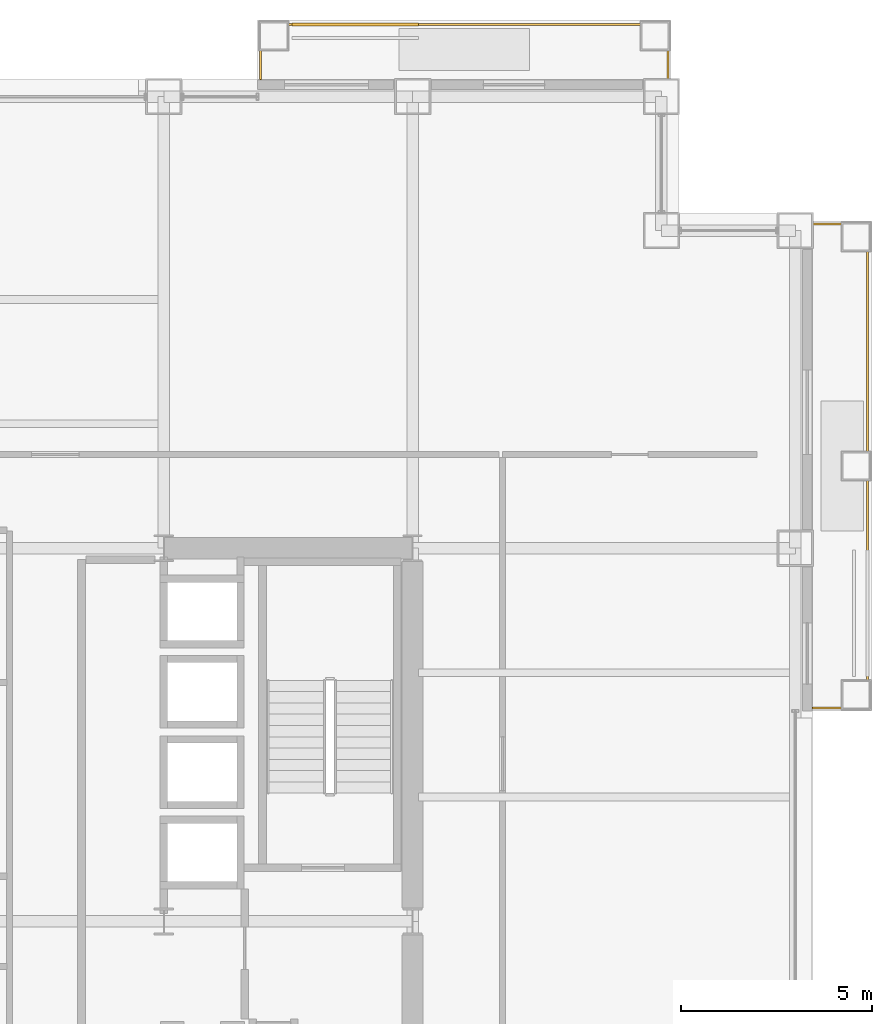
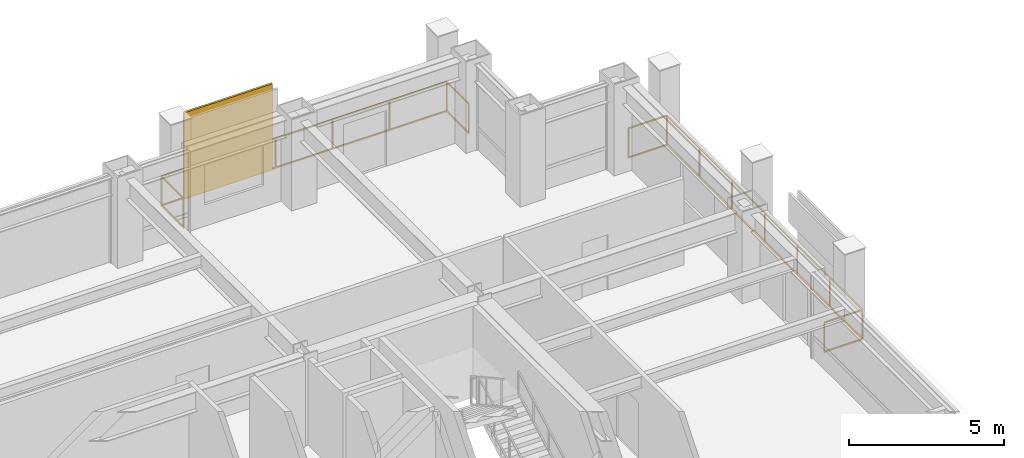
# One storey, part 30 of 31: 2 railings, 1 shading device.
"""IFC4 building model written with IfcOpenShell, lengths in metres."""

from ifc_helpers import new_model, si_unit, direction, frame, origin, origin_2d, place, context, subcontext, project, spatial, rectangle, extrude, material, layer, layer_set, type_object, element, save


model = new_model("IFC4")

# Units and contexts
model_context = context("Model", 3, precision=1e-05, world=origin(), true_north=direction((0.0, 1.0)))
body_context = subcontext(model_context, "Body", "Model", "MODEL_VIEW")
ifc_project = project(units=[si_unit("LENGTHUNIT", "METRE"), si_unit("AREAUNIT", "SQUARE_METRE"), si_unit("VOLUMEUNIT", "CUBIC_METRE"), si_unit("PLANEANGLEUNIT", "RADIAN"), si_unit("MASSUNIT", "GRAM", prefix="KILO")], contexts=[model_context])

# Site, building, storey
site_placement = place(None, origin())
site = spatial("IfcSite", under=ifc_project, at=site_placement, CompositionType="ELEMENT")
building_placement = place(site_placement, origin())
building = spatial("IfcBuilding", under=site, at=building_placement, Name="Brelmoor Portico Tower", CompositionType="ELEMENT")
storey_placement = place(building_placement, frame((0.0, 0.0, 31.199951171875)))
storey = spatial("IfcBuildingStorey", under=building, at=storey_placement, Name="L07", CompositionType="ELEMENT", Elevation=31.199951171875)

# Railings
ifc_material_1 = material(Name="Perforated Pale Champagne Aluminium Fretwork Guard", Category="aluminium")
railing_type = type_object("IfcRailingType", Name="RL-BALUSTRADE-1200", PredefinedType="BALUSTRADE", material=ifc_material_1)
railing_1_placement = place(storey_placement, frame((10.580078125, 22.0, 0.0)))
element("IfcRailing", 1, at=railing_1_placement, inside=storey, type_object=railing_type, Name="L07 Tree Balcony Fretwork Balustrade N", PredefinedType="BALUSTRADE", context=body_context, shape_type="SweptSolid", body=[
    extrude(rectangle(XDim=0.048095703125, YDim=0.048095703125, at=origin_2d()), frame((0.0, 0.0, 1.17578125), z_axis=(0.0, 1.0, 0.0), x_axis=(-1.0, 0.0, 0.0)), (0.0, 0.0, 1.0), 1.429931640625),
    extrude(rectangle(XDim=0.048095703125, YDim=0.048095703125, at=origin_2d()), frame((0.0, 0.0, 0.02392578125), z_axis=(0.0, 1.0, 0.0), x_axis=(-1.0, 0.0, 0.0)), (0.0, 0.0, 1.0), 1.429931640625),
    extrude(rectangle(XDim=0.048095703125, YDim=0.048095703125, at=origin_2d()), frame((0.0, 1.429931640625, 1.17578125), z_axis=(1.0, 0.0, 0.0), x_axis=(0.0, 1.0, 0.0)), (0.0, 0.0, 1.0), 10.639892578125),
    extrude(rectangle(XDim=0.048095703125, YDim=0.048095703125, at=origin_2d()), frame((0.0, 1.429931640625, 0.02392578125), z_axis=(1.0, 0.0, 0.0), x_axis=(0.0, 1.0, 0.0)), (0.0, 0.0, 1.0), 10.639892578125),
    extrude(rectangle(XDim=0.048095703125, YDim=0.048095703125, at=origin_2d()), frame((10.639892578125, 1.429931640625, 1.17578125), z_axis=(0.0, -1.0, 0.0), x_axis=(1.0, 0.0, 0.0)), (0.0, 0.0, 1.0), 1.429931640625),
    extrude(rectangle(XDim=0.048095703125, YDim=0.048095703125, at=origin_2d()), frame((10.639892578125, 1.429931640625, 0.02392578125), z_axis=(0.0, -1.0, 0.0), x_axis=(1.0, 0.0, 0.0)), (0.0, 0.0, 1.0), 1.429931640625),
    extrude(rectangle(XDim=0.0419921875, YDim=0.0419921875, at=origin_2d()), origin(), (0.0, 0.0, 1.0), 1.15185546875),
    extrude(rectangle(XDim=0.0419921875, YDim=0.0419921875, at=origin_2d()), frame((0.0, 1.429931640625, 0.0)), (0.0, 0.0, 1.0), 1.15185546875),
    extrude(rectangle(XDim=0.0419921875, YDim=0.0419921875, at=origin_2d()), frame((2.1279296875, 1.429931640625, 0.0)), (0.0, 0.0, 1.0), 1.15185546875),
    extrude(rectangle(XDim=0.0419921875, YDim=0.0419921875, at=origin_2d()), frame((4.255859375, 1.429931640625, 0.0)), (0.0, 0.0, 1.0), 1.15185546875),
    extrude(rectangle(XDim=0.0419921875, YDim=0.0419921875, at=origin_2d()), frame((6.384033203125, 1.429931640625, 0.0)), (0.0, 0.0, 1.0), 1.15185546875),
    extrude(rectangle(XDim=0.0419921875, YDim=0.0419921875, at=origin_2d()), frame((8.511962890625, 1.429931640625, 0.0)), (0.0, 0.0, 1.0), 1.15185546875),
    extrude(rectangle(XDim=0.0419921875, YDim=0.0419921875, at=origin_2d()), frame((10.639892578125, 1.429931640625, 0.0)), (0.0, 0.0, 1.0), 1.15185546875),
    extrude(rectangle(XDim=0.0419921875, YDim=0.0419921875, at=origin_2d()), frame((10.639892578125, 0.0, 0.0)), (0.0, 0.0, 1.0), 1.15185546875),
])
railing_2_placement = place(storey_placement, frame((25.0, 5.580078125, 0.0)))
element("IfcRailing", 2, at=railing_2_placement, inside=storey, type_object=railing_type, Name="L07 Tree Balcony Fretwork Balustrade E", PredefinedType="BALUSTRADE", context=body_context, shape_type="SweptSolid", body=[
    extrude(rectangle(XDim=0.048095703125, YDim=0.048095703125, at=origin_2d()), frame((0.0, 0.0, 1.17578125), z_axis=(1.0, 0.0, 0.0), x_axis=(0.0, 1.0, 0.0)), (0.0, 0.0, 1.0), 1.429931640625),
    extrude(rectangle(XDim=0.048095703125, YDim=0.048095703125, at=origin_2d()), frame((0.0, 0.0, 0.02392578125), z_axis=(1.0, 0.0, 0.0), x_axis=(0.0, 1.0, 0.0)), (0.0, 0.0, 1.0), 1.429931640625),
    extrude(rectangle(XDim=0.048095703125, YDim=0.048095703125, at=origin_2d()), frame((1.429931640625, 0.0, 1.17578125), z_axis=(0.0, 1.0, 0.0), x_axis=(-1.0, 0.0, 0.0)), (0.0, 0.0, 1.0), 12.639892578125),
    extrude(rectangle(XDim=0.048095703125, YDim=0.048095703125, at=origin_2d()), frame((1.429931640625, 0.0, 0.02392578125), z_axis=(0.0, 1.0, 0.0), x_axis=(-1.0, 0.0, 0.0)), (0.0, 0.0, 1.0), 12.639892578125),
    extrude(rectangle(XDim=0.048095703125, YDim=0.048095703125, at=origin_2d()), frame((1.429931640625, 12.639892578125, 1.17578125), z_axis=(-1.0, 0.0, 0.0), x_axis=(0.0, -1.0, 0.0)), (0.0, 0.0, 1.0), 1.429931640625),
    extrude(rectangle(XDim=0.048095703125, YDim=0.048095703125, at=origin_2d()), frame((1.429931640625, 12.639892578125, 0.02392578125), z_axis=(-1.0, 0.0, 0.0), x_axis=(0.0, -1.0, 0.0)), (0.0, 0.0, 1.0), 1.429931640625),
    extrude(rectangle(XDim=0.0419921875, YDim=0.0419921875, at=origin_2d()), origin(), (0.0, 0.0, 1.0), 1.15185546875),
    extrude(rectangle(XDim=0.0419921875, YDim=0.0419921875, at=origin_2d()), frame((1.429931640625, 0.0, 0.0)), (0.0, 0.0, 1.0), 1.15185546875),
    extrude(rectangle(XDim=0.0419921875, YDim=0.0419921875, at=origin_2d()), frame((1.429931640625, 2.106689453125, 0.0)), (0.0, 0.0, 1.0), 1.15185546875),
    extrude(rectangle(XDim=0.0419921875, YDim=0.0419921875, at=origin_2d()), frame((1.429931640625, 4.21337890625, 0.0)), (0.0, 0.0, 1.0), 1.15185546875),
    extrude(rectangle(XDim=0.0419921875, YDim=0.0419921875, at=origin_2d()), frame((1.429931640625, 6.31982421875, 0.0)), (0.0, 0.0, 1.0), 1.15185546875),
    extrude(rectangle(XDim=0.0419921875, YDim=0.0419921875, at=origin_2d()), frame((1.429931640625, 8.426513671875, 0.0)), (0.0, 0.0, 1.0), 1.15185546875),
    extrude(rectangle(XDim=0.0419921875, YDim=0.0419921875, at=origin_2d()), frame((1.429931640625, 10.533203125, 0.0)), (0.0, 0.0, 1.0), 1.15185546875),
    extrude(rectangle(XDim=0.0419921875, YDim=0.0419921875, at=origin_2d()), frame((1.429931640625, 12.639892578125, 0.0)), (0.0, 0.0, 1.0), 1.15185546875),
    extrude(rectangle(XDim=0.0419921875, YDim=0.0419921875, at=origin_2d()), frame((0.0, 12.639892578125, 0.0)), (0.0, 0.0, 1.0), 1.15185546875),
])

# Shading device
ifc_material_2 = material(Name="Powder-Coated Aluminium Shuttered Jalousie", Category="aluminium")
ifc_layer = layer(ifc_material_2, 0.080078125)
ifc_layer_set = layer_set([ifc_layer], Name="Powder-Coated Aluminium Shuttered Jalousie")
shading_device_type = type_object("IfcShadingDeviceType", Name="SD-JALOUSIE-LOGGIA", PredefinedType="JALOUSIE", material=ifc_layer_set)
shading_device_placement = place(storey_placement, frame((13.050048828125, 23.429931640625, 0.0), z_axis=(0.0, 0.0, 1.0), x_axis=(1.0, 0.0, 0.0)))
element("IfcShadingDevice", 3, at=shading_device_placement, inside=storey, type_object=shading_device_type, Name="L07 Loggia Shuttered Jalousie N", PredefinedType="JALOUSIE", context=body_context, shape_type="SweptSolid", body=[
    extrude(rectangle(XDim=3.300048828125, YDim=0.080078125, at=origin_2d()), origin(), (0.0, 0.0, 1.0), 3.39990234375),
])

save(model, "model.ifc")
